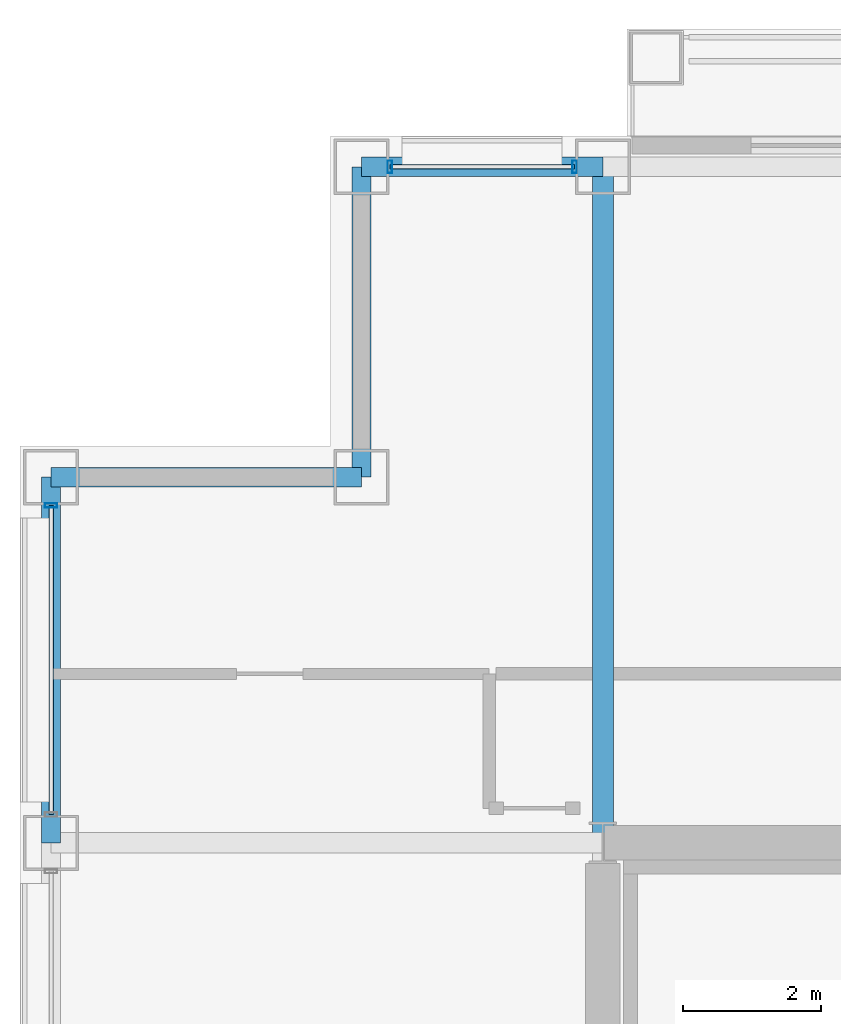
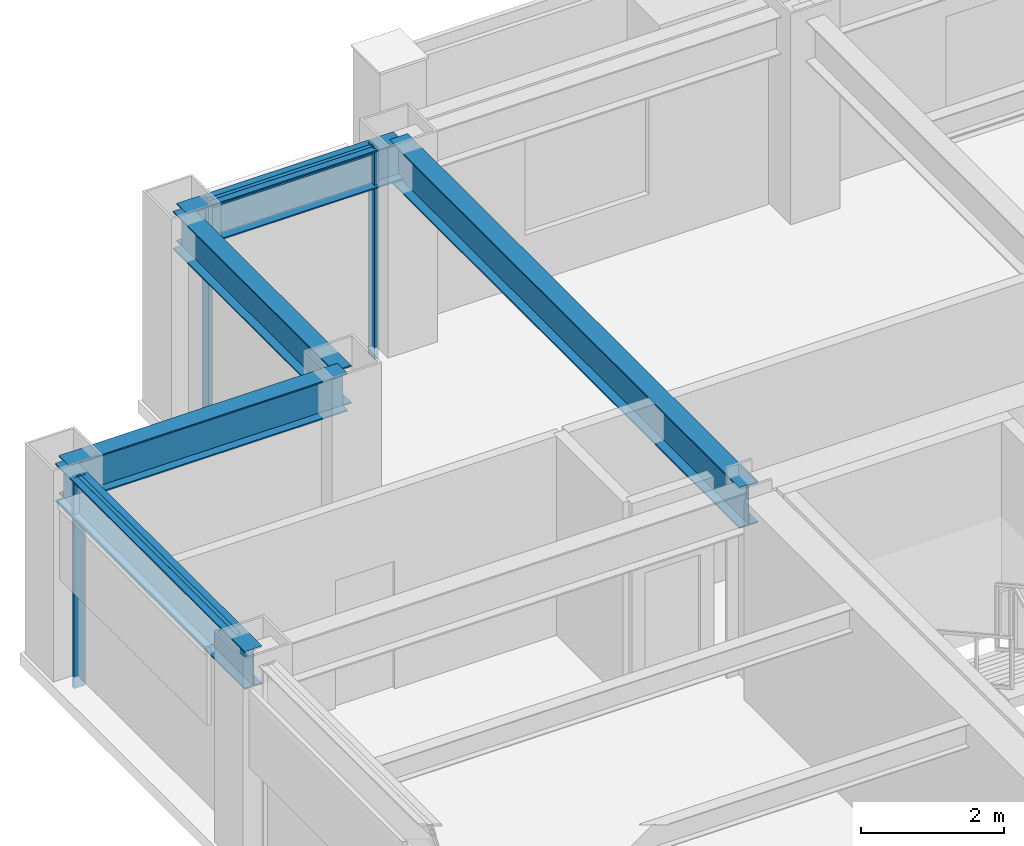
# One storey, part 17 of 29: 5 beams, 5 members, 2 elements without a shape of their own.
"""IFC4 building model written with IfcOpenShell, lengths in metres."""

from ifc_helpers import new_model, si_unit, direction, frame, origin, origin_2d, place, context, subcontext, project, spatial, hollow_rectangle, i_section, extrude, material, layer, layer_set, material_profile, profile_set, type_object, element, aggregate, save


model = new_model("IFC4")

# Units and contexts
model_context = context("Model", 3, precision=1e-05, world=origin(), true_north=direction((0.0, 1.0)))
body_context = subcontext(model_context, "Body", "Model", "MODEL_VIEW")
ifc_project = project(units=[si_unit("LENGTHUNIT", "METRE"), si_unit("AREAUNIT", "SQUARE_METRE"), si_unit("VOLUMEUNIT", "CUBIC_METRE"), si_unit("PLANEANGLEUNIT", "RADIAN"), si_unit("MASSUNIT", "GRAM", prefix="KILO")], contexts=[model_context])

# Site, building, storey
site_placement = place(None, origin())
site = spatial("IfcSite", under=ifc_project, at=site_placement, CompositionType="ELEMENT")
building_placement = place(site_placement, origin())
building = spatial("IfcBuilding", under=site, at=building_placement, Name="Brelmoor Portico Tower", CompositionType="ELEMENT")
storey_placement = place(building_placement, frame((0.0, 0.0, 124.199951171875)))
storey = spatial("IfcBuildingStorey", under=building, at=storey_placement, Name="L32", CompositionType="ELEMENT", Elevation=124.199951171875)

# Beams
ifc_material_1 = material(Name="Steel Q355B", Category="steel")
ifc_material_profile_1 = material_profile(ifc_material_1, i_section(OverallWidth=0.300048828125, OverallDepth=0.699951171875, WebThickness=0.012939453125, FlangeThickness=0.02392578125, at=origin_2d()), Name="HN 700x300x13x24")
ifc_profile_set_1 = profile_set([ifc_material_profile_1], Name="Steel Q355B")
beam_type_1 = type_object("IfcBeamType", Name="BM-PG-700", PredefinedType="BEAM", material=ifc_profile_set_1)
beam_1_placement = place(storey_placement, frame((-14.550048828125, 9.75, 3.050048828125), z_axis=(0.0, 1.0, 0.0), x_axis=(-1.0, 0.0, 0.0)))
element("IfcBeam", 1, at=beam_1_placement, inside=storey, type_object=beam_type_1, Name="L32 Primary Floor Girder PG-04", PredefinedType="BEAM", context=body_context, shape_type="SweptSolid", body=[
    extrude(i_section(OverallWidth=0.300048828125, OverallDepth=0.699951171875, WebThickness=0.012939453125, FlangeThickness=0.02392578125, at=origin_2d()), origin(), (0.0, 0.0, 1.0), 9.800048828125),
])
ifc_material_profile_2 = material_profile(ifc_material_1, i_section(OverallWidth=0.280029296875, OverallDepth=0.64990234375, WebThickness=0.012939453125, FlangeThickness=0.02197265625, at=origin_2d()), Name="HN 650x280x13x22")
ifc_profile_set_2 = profile_set([ifc_material_profile_2], Name="Steel Q355B")
beam_type_2 = type_object("IfcBeamType", Name="BM-SP-650", PredefinedType="SPANDREL", material=ifc_profile_set_2)
beam_2_placement = place(storey_placement, frame((-22.550048828125, 15.050048828125, 3.074951171875), z_axis=(1.0, 0.0, 0.0), x_axis=(0.0, 1.0, 0.0)))
element("IfcBeam", 2, at=beam_2_placement, inside=storey, type_object=beam_type_2, Name="L32 Perimeter Spandrel Beam SP-08", PredefinedType="SPANDREL", context=body_context, shape_type="SweptSolid", body=[
    extrude(i_section(OverallWidth=0.280029296875, OverallDepth=0.64990234375, WebThickness=0.012939453125, FlangeThickness=0.02197265625, at=origin_2d()), origin(), (0.0, 0.0, 1.0), 4.5),
])
beam_3_placement = place(storey_placement, frame((-18.050048828125, 19.550048828125, 3.074951171875), z_axis=(1.0, 0.0, 0.0), x_axis=(0.0, 1.0, 0.0)))
element("IfcBeam", 3, at=beam_3_placement, inside=storey, type_object=beam_type_2, Name="L32 Perimeter Spandrel Beam SP-10", PredefinedType="SPANDREL", context=body_context, shape_type="SweptSolid", body=[
    extrude(i_section(OverallWidth=0.280029296875, OverallDepth=0.64990234375, WebThickness=0.012939453125, FlangeThickness=0.02197265625, at=origin_2d()), origin(), (0.0, 0.0, 1.0), 3.5),
])
beam_4_placement = place(storey_placement, frame((-22.550048828125, 9.75, 3.074951171875), z_axis=(0.0, 1.0, 0.0), x_axis=(-1.0, 0.0, 0.0)))
element("IfcBeam", 4, at=beam_4_placement, inside=storey, type_object=beam_type_2, Name="L32 Perimeter Spandrel Beam SP-17", PredefinedType="SPANDREL", context=body_context, shape_type="SweptSolid", body=[
    extrude(i_section(OverallWidth=0.280029296875, OverallDepth=0.64990234375, WebThickness=0.012939453125, FlangeThickness=0.02197265625, at=origin_2d()), origin(), (0.0, 0.0, 1.0), 5.300048828125),
])
beam_5_placement = place(storey_placement, frame((-18.050048828125, 15.050048828125, 3.074951171875), z_axis=(0.0, 1.0, 0.0), x_axis=(-1.0, 0.0, 0.0)))
element("IfcBeam", 5, at=beam_5_placement, inside=storey, type_object=beam_type_2, Name="L32 Perimeter Spandrel Beam SP-19", PredefinedType="SPANDREL", context=body_context, shape_type="SweptSolid", body=[
    extrude(i_section(OverallWidth=0.280029296875, OverallDepth=0.64990234375, WebThickness=0.012939453125, FlangeThickness=0.02197265625, at=origin_2d()), origin(), (0.0, 0.0, 1.0), 4.5),
])

# Curtain wall, members
ifc_material_2 = material(Name="Anodised Aluminium Alloy 6063-T6", Category="aluminium")
ifc_layer = layer(ifc_material_2, 0.179931640625)
ifc_layer_set = layer_set([ifc_layer], Name="Anodised Aluminium Alloy 6063-T6")
curtain_wall_type = type_object("IfcCurtainWallType", Name="CW-TOWER-Z2-XB", PredefinedType="NOTDEFINED", material=ifc_layer_set)
curtain_wall_1_placement = place(storey_placement, origin())
curtain_wall_1 = element("IfcCurtainWall", 6, at=curtain_wall_1_placement, inside=storey, type_object=curtain_wall_type, Name="L32 Curtain Wall CW-L32-2L", PredefinedType="NOTDEFINED")
ifc_material_profile_3 = material_profile(ifc_material_2, hollow_rectangle(XDim=0.06494140625, YDim=0.179931640625, WallThickness=0.00390625, at=origin_2d()), Name="ALU MULLION 65x180")
ifc_profile_set_3 = profile_set([ifc_material_profile_3], Name="Anodised Aluminium Alloy 6063-T6")
member_type_1 = type_object("IfcMemberType", Name="MB-CW-MULL-180", PredefinedType="MULLION", material=ifc_profile_set_3)
member_1_placement = place(storey_placement, frame((-17.639892578125, 19.550048828125, -0.199951171875), z_axis=(0.0, 0.0, 1.0), x_axis=(1.0, 0.0, 0.0)))
member_1 = element("IfcMember", 7, at=member_1_placement, type_object=member_type_1, Name="CW-L32-2L Mullion 00", PredefinedType="MULLION", context=body_context, shape_type="SweptSolid", body=[
    extrude(hollow_rectangle(XDim=0.06494140625, YDim=0.179931640625, WallThickness=0.00390625, at=origin_2d()), origin(), (0.0, 0.0, 1.0), 3.60009765625),
])
member_2_placement = place(storey_placement, frame((-14.9599609375, 19.550048828125, -0.199951171875), z_axis=(0.0, 0.0, 1.0), x_axis=(1.0, 0.0, 0.0)))
member_2 = element("IfcMember", 8, at=member_2_placement, type_object=member_type_1, Name="CW-L32-2L Mullion 01", PredefinedType="MULLION", context=body_context, shape_type="SweptSolid", body=[
    extrude(hollow_rectangle(XDim=0.06494140625, YDim=0.179931640625, WallThickness=0.00390625, at=origin_2d()), origin(), (0.0, 0.0, 1.0), 3.60009765625),
])

# Curtain wall, member
curtain_wall_2_placement = place(storey_placement, origin())
curtain_wall_2 = element("IfcCurtainWall", 9, at=curtain_wall_2_placement, inside=storey, type_object=curtain_wall_type, Name="L32 Curtain Wall CW-L32-03-3", PredefinedType="NOTDEFINED")
member_3_placement = place(storey_placement, frame((-22.550048828125, 14.639892578125, -0.199951171875), z_axis=(0.0, 0.0, 1.0), x_axis=(0.0, 1.0, 0.0)))
member_3 = element("IfcMember", 10, at=member_3_placement, type_object=member_type_1, Name="CW-L32-03-3 Mullion 01", PredefinedType="MULLION", context=body_context, shape_type="SweptSolid", body=[
    extrude(hollow_rectangle(XDim=0.06494140625, YDim=0.179931640625, WallThickness=0.00390625, at=origin_2d()), origin(), (0.0, 0.0, 1.0), 3.60009765625),
])

# Member
ifc_material_profile_4 = material_profile(ifc_material_2, hollow_rectangle(XDim=0.06494140625, YDim=0.139892578125, WallThickness=0.00390625, at=origin_2d()), Name="ALU TRANSOM 65x140")
ifc_profile_set_4 = profile_set([ifc_material_profile_4], Name="Anodised Aluminium Alloy 6063-T6")
member_type_2 = type_object("IfcMemberType", Name="MB-CW-TRAN-140", PredefinedType="USERDEFINED", material=ifc_profile_set_4)
member_4_placement = place(storey_placement, frame((-17.639892578125, 19.550048828125, 3.330078125), z_axis=(1.0, 0.0, 0.0), x_axis=(0.0, 1.0, 0.0)))
member_4 = element("IfcMember", 11, at=member_4_placement, type_object=member_type_2, Name="CW-L32-2L Transom 1-00", ObjectType="TRANSOM", PredefinedType="USERDEFINED", context=body_context, shape_type="SweptSolid", body=[
    extrude(hollow_rectangle(XDim=0.06494140625, YDim=0.139892578125, WallThickness=0.00390625, at=origin_2d()), origin(), (0.0, 0.0, 1.0), 2.679931640625),
])

aggregate(curtain_wall_1, [member_1, member_2, member_4])

member_5_placement = place(storey_placement, frame((-22.550048828125, 10.159912109375, 3.330078125), z_axis=(0.0, 1.0, 0.0), x_axis=(-1.0, 0.0, 0.0)))
member_5 = element("IfcMember", 12, at=member_5_placement, type_object=member_type_2, Name="CW-L32-03-3 Transom 1-00", ObjectType="TRANSOM", PredefinedType="USERDEFINED", context=body_context, shape_type="SweptSolid", body=[
    extrude(hollow_rectangle(XDim=0.06494140625, YDim=0.139892578125, WallThickness=0.00390625, at=origin_2d()), origin(), (0.0, 0.0, 1.0), 4.47998046875),
])

aggregate(curtain_wall_2, [member_3, member_5])

save(model, "model.ifc")
